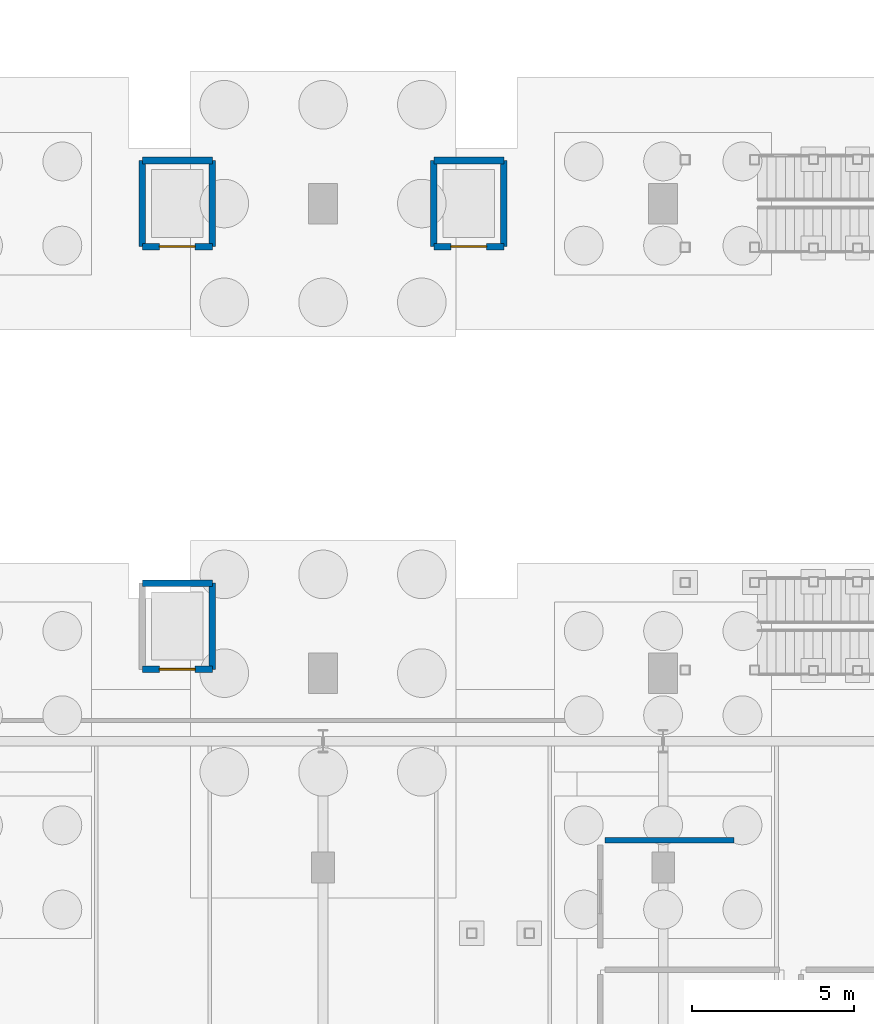
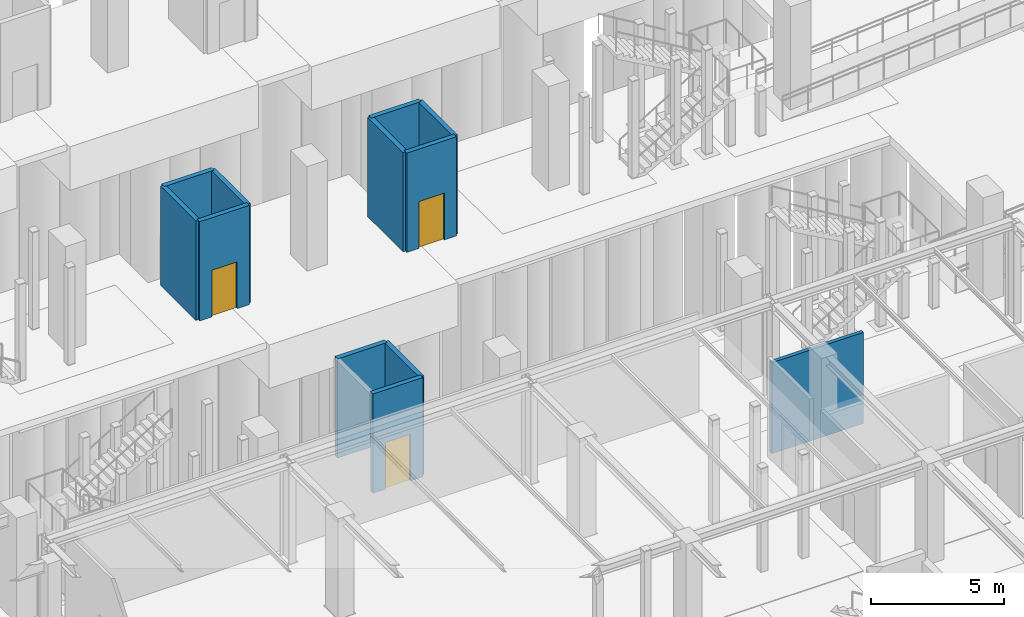
# One storey, part 101 of 160: 12 walls, 3 doors, 3 openings.
"""IFC4 building model written with IfcOpenShell, lengths in metres."""

from ifc_helpers import new_model, si_unit, direction, frame, frame_2d, origin, place, context, subcontext, project, spatial, rectangle, extrude, material, layer, layer_set, type_object, element, fill, save


model = new_model("IFC4")

# Units and contexts
model_context = context("Model", 3, precision=1e-05, world=origin(), true_north=direction((0.0, 1.0)))
body_context = subcontext(model_context, "Body", "Model", "MODEL_VIEW")
ifc_project = project(units=[si_unit("LENGTHUNIT", "METRE"), si_unit("AREAUNIT", "SQUARE_METRE"), si_unit("VOLUMEUNIT", "CUBIC_METRE"), si_unit("PLANEANGLEUNIT", "RADIAN"), si_unit("MASSUNIT", "GRAM", prefix="KILO")], contexts=[model_context])

# Site, building, storey
site_placement = place(None, origin())
site = spatial("IfcSite", under=ifc_project, at=site_placement, CompositionType="ELEMENT")
building_placement = place(site_placement, origin())
building = spatial("IfcBuilding", under=site, at=building_placement, Name="Marlcrest Central Station", CompositionType="ELEMENT")
storey_placement = place(building_placement, origin())
storey = spatial("IfcBuildingStorey", under=building, at=storey_placement, Name="L00", CompositionType="ELEMENT", Elevation=0.0)

# Walls
ifc_material_1 = material(Name="Moisture-resistant tiled sanitary partition")
ifc_layer_1 = layer(ifc_material_1, 0.159912109375, Name="PT-03")
ifc_layer_set_1 = layer_set([ifc_layer_1], Name="Moisture-resistant tiled sanitary partition")
wall_type_1 = type_object("IfcWallType", Name="PT-03", PredefinedType="PARTITIONING", material=ifc_layer_set_1)
wall_1_placement = place(storey_placement, frame((116.7099609375, 31.340087890625, 0.0), z_axis=(0.0, 0.0, 1.0), x_axis=(1.0, 0.0, 0.0)))
element("IfcWall", 1, at=wall_1_placement, inside=storey, type_object=wall_type_1, Name="iwall-L00-00035", PredefinedType="PARTITIONING", context=body_context, shape_type="SweptSolid", body=[
    extrude(rectangle(XDim=3.97998046875, YDim=0.159912109375, at=frame_2d((1.989990234375, 0.0))), origin(), (0.0, 0.0, 1.0), 4.18505859375),
])
ifc_material_2 = material(Name="Concrete C35/45", Category="concrete")
ifc_layer_2 = layer(ifc_material_2, 0.205078125, Name="SHW-03")
ifc_layer_set_2 = layer_set([ifc_layer_2], Name="Concrete C35/45")
wall_type_2 = type_object("IfcWallType", Name="SHW-03", PredefinedType="SOLIDWALL", material=ifc_layer_set_2)
wall_2_placement = place(storey_placement, frame((102.419921875, 39.280029296875, 0.0), z_axis=(0.0, 0.0, 1.0), x_axis=(1.0, 0.0, 0.0)))
element("IfcWall", 2, at=wall_2_placement, inside=storey, type_object=wall_type_2, Name="iwall-L00-00223", PredefinedType="SOLIDWALL", context=body_context, shape_type="SweptSolid", body=[
    extrude(rectangle(XDim=2.16015625, YDim=0.205078125, at=frame_2d((1.080078125, 0.0))), origin(), (0.0, 0.0, 1.0), 4.56005859375),
])

# Wall, opening, door
wall_3_placement = place(storey_placement, frame((104.580078125, 36.6201171875, 0.0), z_axis=(0.0, 0.0, 1.0), x_axis=(-1.0, 0.0, 0.0)))
wall_3 = element("IfcWall", 3, at=wall_3_placement, inside=storey, type_object=wall_type_2, Name="iwall-L00-00224", PredefinedType="SOLIDWALL", context=body_context, shape_type="SweptSolid", body=[
    extrude(rectangle(XDim=2.16015625, YDim=0.205078125, at=frame_2d((1.080078125, 0.0))), origin(), (0.0, 0.0, 1.0), 4.56005859375),
])
opening_1_placement = place(wall_3_placement, frame((0.530029296875, 0.0, 0.0)))
opening_1 = element("IfcOpeningElement", 4, at=opening_1_placement, cuts=wall_3, Name="Opening LD-01", PredefinedType="OPENING", context=body_context, shape_type="SweptSolid", body=[
    extrude(rectangle(XDim=1.10009765625, YDim=2.14990234375, at=frame_2d((0.550048828125, 1.074951171875))), frame((0.0, 0.112548828125, 0.0), z_axis=(0.0, -1.0, 0.0), x_axis=(1.0, 0.0, 0.0)), (0.0, 0.0, 1.0), 0.22509765625),
])
ifc_material_3 = material(Name="Stainless steel sliding passenger lift landing door", Category="steel")
door_type = type_object("IfcDoorType", Name="LD-01", OperationType="DOUBLE_DOOR_SLIDING", PredefinedType="DOOR", material=ifc_material_3)
door_1_placement = place(opening_1_placement, origin())
door_1 = element("IfcDoor", 5, at=door_1_placement, inside=storey, type_object=door_type, Name="LF-P1 Lift Landing Door 0126", OperationType="DOUBLE_DOOR_SLIDING", OverallHeight=2.14990234375, OverallWidth=1.10009765625, PredefinedType="DOOR", context=body_context, shape_type="SweptSolid", body=[
    extrude(rectangle(XDim=1.10009765625, YDim=2.14990234375, at=frame_2d((0.550048828125, 1.074951171875))), frame((0.0, 0.02490234375, 0.0), z_axis=(0.0, -1.0, 0.0), x_axis=(1.0, 0.0, 0.0)), (0.0, 0.0, 1.0), 0.050048828125),
])
fill(opening_1, door_1)

# Walls
wall_4_placement = place(storey_placement, frame((104.580078125, 39.280029296875, 0.0), z_axis=(0.0, 0.0, 1.0), x_axis=(0.0, -1.0, 0.0)))
element("IfcWall", 6, at=wall_4_placement, inside=storey, type_object=wall_type_2, Name="iwall-L00-00226", PredefinedType="SOLIDWALL", context=body_context, shape_type="SweptSolid", body=[
    extrude(rectangle(XDim=2.659912109375, YDim=0.205078125, at=frame_2d((1.330078125, 0.0))), origin(), (0.0, 0.0, 1.0), 4.56005859375),
])
wall_5_placement = place(storey_placement, frame((102.419921875, 52.330078125, 0.0), z_axis=(0.0, 0.0, 1.0), x_axis=(1.0, 0.0, 0.0)))
element("IfcWall", 7, at=wall_5_placement, inside=storey, type_object=wall_type_2, Name="iwall-L00-00231", PredefinedType="SOLIDWALL", context=body_context, shape_type="SweptSolid", body=[
    extrude(rectangle(XDim=2.16015625, YDim=0.205078125, at=frame_2d((1.080078125, 0.0))), origin(), (0.0, 0.0, 1.0), 4.56005859375),
])

# Wall, opening, door
wall_6_placement = place(storey_placement, frame((104.580078125, 49.669921875, 0.0), z_axis=(0.0, 0.0, 1.0), x_axis=(-1.0, 0.0, 0.0)))
wall_6 = element("IfcWall", 8, at=wall_6_placement, inside=storey, type_object=wall_type_2, Name="iwall-L00-00232", PredefinedType="SOLIDWALL", context=body_context, shape_type="SweptSolid", body=[
    extrude(rectangle(XDim=2.16015625, YDim=0.205078125, at=frame_2d((1.080078125, 0.0))), origin(), (0.0, 0.0, 1.0), 4.56005859375),
])
opening_2_placement = place(wall_6_placement, frame((0.530029296875, 0.0, 0.0)))
opening_2 = element("IfcOpeningElement", 9, at=opening_2_placement, cuts=wall_6, Name="Opening LD-01", PredefinedType="OPENING", context=body_context, shape_type="SweptSolid", body=[
    extrude(rectangle(XDim=1.10009765625, YDim=2.14990234375, at=frame_2d((0.550048828125, 1.074951171875))), frame((0.0, 0.112548828125, 0.0), z_axis=(0.0, -1.0, 0.0), x_axis=(1.0, 0.0, 0.0)), (0.0, 0.0, 1.0), 0.22509765625),
])
door_2_placement = place(opening_2_placement, origin())
door_2 = element("IfcDoor", 10, at=door_2_placement, inside=storey, type_object=door_type, Name="LF-P2 Lift Landing Door 0128", OperationType="DOUBLE_DOOR_SLIDING", OverallHeight=2.14990234375, OverallWidth=1.10009765625, PredefinedType="DOOR", context=body_context, shape_type="SweptSolid", body=[
    extrude(rectangle(XDim=1.10009765625, YDim=2.14990234375, at=frame_2d((0.550048828125, 1.074951171875))), frame((0.0, 0.02490234375, 0.0), z_axis=(0.0, -1.0, 0.0), x_axis=(1.0, 0.0, 0.0)), (0.0, 0.0, 1.0), 0.050048828125),
])
fill(opening_2, door_2)

# Walls
for number, where, z_axis, x_axis, name in (
    (11, (102.419921875, 49.669921875, 0.0), (0.0, 0.0, 1.0), (0.0, 1.0, 0.0), "iwall-L00-00233"),
    (12, (104.580078125, 52.330078125, 0.0), (0.0, 0.0, 1.0), (0.0, -1.0, 0.0), "iwall-L00-00234"),
):
    element("IfcWall", number, at=place(storey_placement, frame(where, z_axis=z_axis, x_axis=x_axis)), inside=storey, type_object=wall_type_2, Name=name, PredefinedType="SOLIDWALL", context=body_context, shape_type="SweptSolid", body=[
        extrude(rectangle(XDim=2.66015625, YDim=0.205078125, at=frame_2d((1.330078125, 0.0))), origin(), (0.0, 0.0, 1.0), 4.56005859375),
    ])
wall_7_placement = place(storey_placement, frame((111.419921875, 52.330078125, 0.0), z_axis=(0.0, 0.0, 1.0), x_axis=(1.0, 0.0, 0.0)))
element("IfcWall", 13, at=wall_7_placement, inside=storey, type_object=wall_type_2, Name="iwall-L00-00239", PredefinedType="SOLIDWALL", context=body_context, shape_type="SweptSolid", body=[
    extrude(rectangle(XDim=2.16015625, YDim=0.205078125, at=frame_2d((1.080078125, 0.0))), origin(), (0.0, 0.0, 1.0), 4.56005859375),
])

# Wall, opening, door
wall_8_placement = place(storey_placement, frame((113.580078125, 49.669921875, 0.0), z_axis=(0.0, 0.0, 1.0), x_axis=(-1.0, 0.0, 0.0)))
wall_8 = element("IfcWall", 14, at=wall_8_placement, inside=storey, type_object=wall_type_2, Name="iwall-L00-00240", PredefinedType="SOLIDWALL", context=body_context, shape_type="SweptSolid", body=[
    extrude(rectangle(XDim=2.16015625, YDim=0.205078125, at=frame_2d((1.080078125, 0.0))), origin(), (0.0, 0.0, 1.0), 4.56005859375),
])
opening_3_placement = place(wall_8_placement, frame((0.530029296875, 0.0, 0.0)))
opening_3 = element("IfcOpeningElement", 15, at=opening_3_placement, cuts=wall_8, Name="Opening LD-01", PredefinedType="OPENING", context=body_context, shape_type="SweptSolid", body=[
    extrude(rectangle(XDim=1.10009765625, YDim=2.14990234375, at=frame_2d((0.550048828125, 1.074951171875))), frame((0.0, 0.112548828125, 0.0), z_axis=(0.0, -1.0, 0.0), x_axis=(1.0, 0.0, 0.0)), (0.0, 0.0, 1.0), 0.22509765625),
])
door_3_placement = place(opening_3_placement, origin())
door_3 = element("IfcDoor", 16, at=door_3_placement, inside=storey, type_object=door_type, Name="LF-P3 Lift Landing Door 0130", OperationType="DOUBLE_DOOR_SLIDING", OverallHeight=2.14990234375, OverallWidth=1.10009765625, PredefinedType="DOOR", context=body_context, shape_type="SweptSolid", body=[
    extrude(rectangle(XDim=1.10009765625, YDim=2.14990234375, at=frame_2d((0.550048828125, 1.074951171875))), frame((0.0, 0.02490234375, 0.0), z_axis=(0.0, -1.0, 0.0), x_axis=(1.0, 0.0, 0.0)), (0.0, 0.0, 1.0), 0.050048828125),
])
fill(opening_3, door_3)

# Walls
for number, where, z_axis, x_axis, name in (
    (17, (111.419921875, 49.669921875, 0.0), (0.0, 0.0, 1.0), (0.0, 1.0, 0.0), "iwall-L00-00241"),
    (18, (113.580078125, 52.330078125, 0.0), (0.0, 0.0, 1.0), (0.0, -1.0, 0.0), "iwall-L00-00242"),
):
    element("IfcWall", number, at=place(storey_placement, frame(where, z_axis=z_axis, x_axis=x_axis)), inside=storey, type_object=wall_type_2, Name=name, PredefinedType="SOLIDWALL", context=body_context, shape_type="SweptSolid", body=[
        extrude(rectangle(XDim=2.66015625, YDim=0.205078125, at=frame_2d((1.330078125, 0.0))), origin(), (0.0, 0.0, 1.0), 4.56005859375),
    ])

save(model, "model.ifc")
